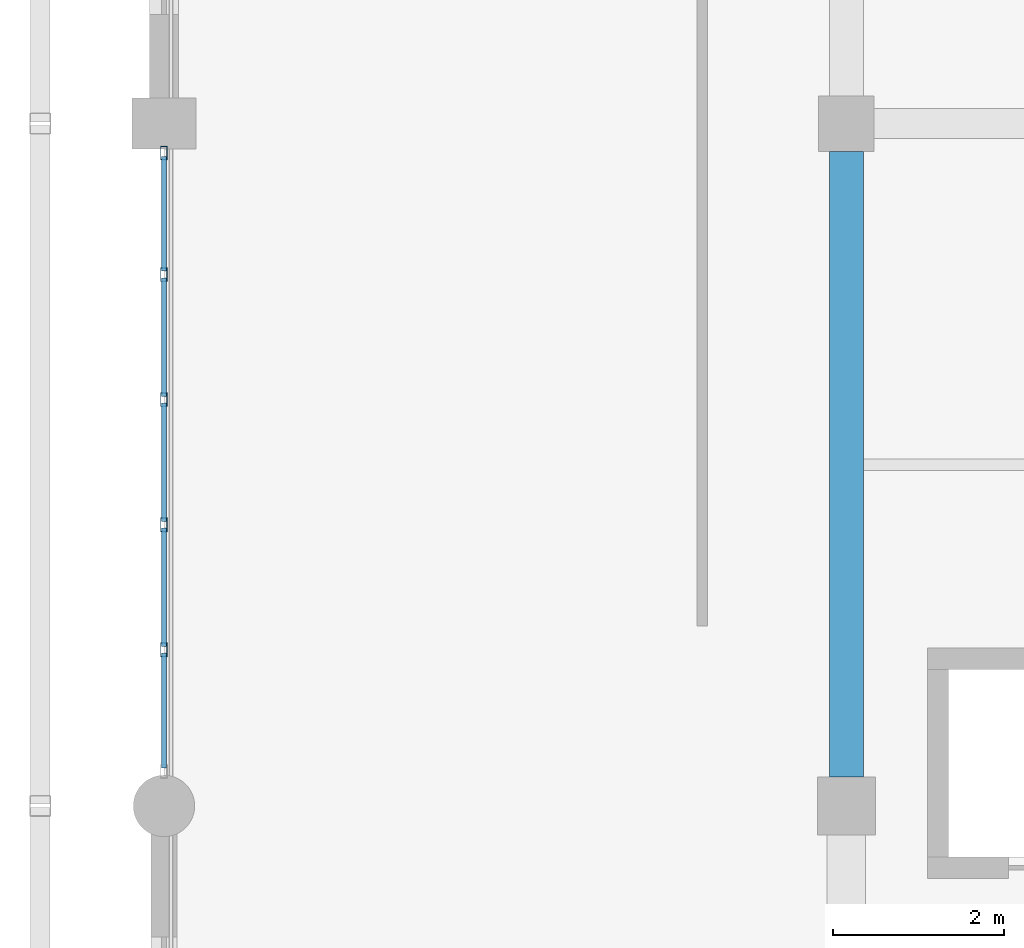
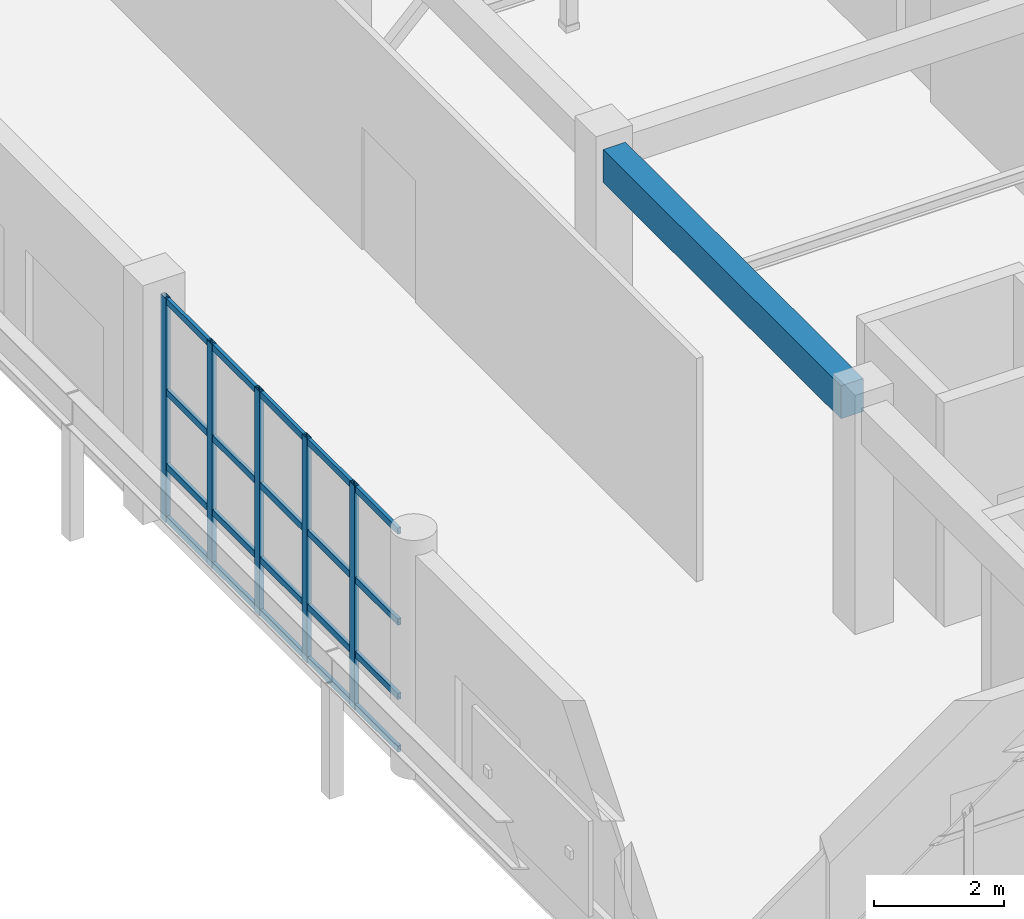
# One storey, part 54 of 160: 25 members, 1 beam, 1 element without a shape of its own.
"""IFC4 building model written with IfcOpenShell, lengths in metres."""

from ifc_helpers import new_model, si_unit, direction, frame, origin, origin_2d, place, context, subcontext, project, spatial, rectangle, hollow_rectangle, extrude, material, material_profile, profile_set, type_object, element, aggregate, save


model = new_model("IFC4")

# Units and contexts
model_context = context("Model", 3, precision=1e-05, world=origin(), true_north=direction((0.0, 1.0)))
body_context = subcontext(model_context, "Body", "Model", "MODEL_VIEW")
ifc_project = project(units=[si_unit("LENGTHUNIT", "METRE"), si_unit("AREAUNIT", "SQUARE_METRE"), si_unit("VOLUMEUNIT", "CUBIC_METRE"), si_unit("PLANEANGLEUNIT", "RADIAN"), si_unit("MASSUNIT", "GRAM", prefix="KILO")], contexts=[model_context])

# Site, building, storey
site_placement = place(None, origin())
site = spatial("IfcSite", under=ifc_project, at=site_placement, CompositionType="ELEMENT")
building_placement = place(site_placement, origin())
building = spatial("IfcBuilding", under=site, at=building_placement, Name="Kharva Crest Polytechnic", CompositionType="ELEMENT")
storey_placement = place(building_placement, frame((0.0, 0.0, 4.5)))
storey = spatial("IfcBuildingStorey", under=building, at=storey_placement, Name="L01", CompositionType="ELEMENT", Elevation=4.5)

# Beam
ifc_material_1 = material(Name="Concrete C35/45", Category="concrete")
ifc_material_profile_1 = material_profile(ifc_material_1, rectangle(XDim=0.39990234375, YDim=0.6201171875, at=origin_2d()), Name="RECT 400 X 620")
ifc_profile_set_1 = profile_set([ifc_material_profile_1], Name="Concrete C35/45")
beam_type = type_object("IfcBeamType", Name="BM-RC-400X620", PredefinedType="BEAM", material=ifc_profile_set_1)
beam_placement = place(storey_placement, frame((40.0, 47.139892578125, 3.909912109375), z_axis=(0.0, 1.0, 0.0), x_axis=(-1.0, 0.0, 0.0)))
element("IfcBeam", 1, at=beam_placement, inside=storey, type_object=beam_type, Name="L01 Girder 6/G-H", PredefinedType="BEAM", context=body_context, shape_type="SweptSolid", body=[
    extrude(rectangle(XDim=0.39990234375, YDim=0.6201171875, at=origin_2d()), origin(), (0.0, 0.0, 1.0), 7.335205078125),
])

# Curtain wall, members
ifc_material_2 = material(Name="Tempered insulated glass", Category="glass")
curtain_wall_type = type_object("IfcCurtainWallType", Name="CW-SYS-COURT", PredefinedType="USERDEFINED", material=ifc_material_2)
curtain_wall_placement = place(storey_placement, origin())
curtain_wall = element("IfcCurtainWall", 2, at=curtain_wall_placement, inside=storey, type_object=curtain_wall_type, Name="L01 Glazed Curtain Wall CW-055", ObjectType="CURTAIN WALL", PredefinedType="USERDEFINED")
ifc_material_3 = material(Name="Steel S355", Category="steel")
ifc_material_profile_2 = material_profile(ifc_material_3, hollow_rectangle(XDim=0.080078125, YDim=0.159912109375, WallThickness=0.0048828125, at=origin_2d()), Name="RHS 160X80X5.0")
ifc_profile_set_2 = profile_set([ifc_material_profile_2], Name="Steel S355")
member_type_1 = type_object("IfcMemberType", Name="CWM-RHS160X80", PredefinedType="MULLION", material=ifc_profile_set_2)
member_1_placement = place(storey_placement, frame((32.0, 54.455078125, 0.0), z_axis=(0.0, 0.0, 1.0), x_axis=(1.0, 0.0, 0.0)))
member_1 = element("IfcMember", 3, at=member_1_placement, type_object=member_type_1, Name="CW-055 mullion 1", PredefinedType="MULLION", context=body_context, shape_type="SweptSolid", body=[
    extrude(hollow_rectangle(XDim=0.080078125, YDim=0.159912109375, WallThickness=0.0048828125, at=origin_2d()), origin(), (0.0, 0.0, 1.0), 4.219970703125),
])
member_2_placement = place(storey_placement, frame((32.0, 53.029052734375, 0.0), z_axis=(0.0, 0.0, 1.0), x_axis=(1.0, 0.0, 0.0)))
member_2 = element("IfcMember", 4, at=member_2_placement, type_object=member_type_1, Name="CW-055 mullion 2", PredefinedType="MULLION", context=body_context, shape_type="SweptSolid", body=[
    extrude(hollow_rectangle(XDim=0.080078125, YDim=0.159912109375, WallThickness=0.0048828125, at=origin_2d()), origin(), (0.0, 0.0, 1.0), 4.219970703125),
])
member_3_placement = place(storey_placement, frame((32.0, 51.56298828125, 0.0), z_axis=(0.0, 0.0, 1.0), x_axis=(1.0, 0.0, 0.0)))
member_3 = element("IfcMember", 5, at=member_3_placement, type_object=member_type_1, Name="CW-055 mullion 3", PredefinedType="MULLION", context=body_context, shape_type="SweptSolid", body=[
    extrude(hollow_rectangle(XDim=0.080078125, YDim=0.159912109375, WallThickness=0.0048828125, at=origin_2d()), origin(), (0.0, 0.0, 1.0), 4.219970703125),
])
member_4_placement = place(storey_placement, frame((32.0, 50.096923828125, 0.0), z_axis=(0.0, 0.0, 1.0), x_axis=(1.0, 0.0, 0.0)))
member_4 = element("IfcMember", 6, at=member_4_placement, type_object=member_type_1, Name="CW-055 mullion 4", PredefinedType="MULLION", context=body_context, shape_type="SweptSolid", body=[
    extrude(hollow_rectangle(XDim=0.080078125, YDim=0.159912109375, WallThickness=0.0048828125, at=origin_2d()), origin(), (0.0, 0.0, 1.0), 4.219970703125),
])
member_5_placement = place(storey_placement, frame((32.0, 48.631103515625, 0.0), z_axis=(0.0, 0.0, 1.0), x_axis=(1.0, 0.0, 0.0)))
member_5 = element("IfcMember", 7, at=member_5_placement, type_object=member_type_1, Name="CW-055 mullion 5", PredefinedType="MULLION", context=body_context, shape_type="SweptSolid", body=[
    extrude(hollow_rectangle(XDim=0.080078125, YDim=0.159912109375, WallThickness=0.0048828125, at=origin_2d()), origin(), (0.0, 0.0, 1.0), 4.219970703125),
])
ifc_material_profile_3 = material_profile(ifc_material_3, hollow_rectangle(XDim=0.06005859375, YDim=0.1201171875, WallThickness=0.00390625, at=origin_2d()), Name="RHS 120X60X4.0")
ifc_profile_set_3 = profile_set([ifc_material_profile_3], Name="Steel S355")
member_type_2 = type_object("IfcMemberType", Name="CWT-RHS120X60", PredefinedType="USERDEFINED", material=ifc_profile_set_3)
member_6_placement = place(storey_placement, frame((32.0, 54.4150390625, 0.06005859375), z_axis=(0.0, -1.0, 0.0), x_axis=(1.0, 0.0, 0.0)))
member_6 = element("IfcMember", 8, at=member_6_placement, type_object=member_type_2, Name="CW-055 transom 1.1", ObjectType="TRANSOM", PredefinedType="USERDEFINED", context=body_context, shape_type="SweptSolid", body=[
    extrude(hollow_rectangle(XDim=0.06005859375, YDim=0.1201171875, WallThickness=0.00390625, at=origin_2d()), origin(), (0.0, 0.0, 1.0), 1.345947265625),
])
member_7_placement = place(storey_placement, frame((32.0, 54.4150390625, 1.050048828125), z_axis=(0.0, -1.0, 0.0), x_axis=(1.0, 0.0, 0.0)))
member_7 = element("IfcMember", 9, at=member_7_placement, type_object=member_type_2, Name="CW-055 transom 1.2", ObjectType="TRANSOM", PredefinedType="USERDEFINED", context=body_context, shape_type="SweptSolid", body=[
    extrude(hollow_rectangle(XDim=0.06005859375, YDim=0.1201171875, WallThickness=0.00390625, at=origin_2d()), origin(), (0.0, 0.0, 1.0), 1.345947265625),
])
member_8_placement = place(storey_placement, frame((32.0, 54.4150390625, 2.449951171875), z_axis=(0.0, -1.0, 0.0), x_axis=(1.0, 0.0, 0.0)))
member_8 = element("IfcMember", 10, at=member_8_placement, type_object=member_type_2, Name="CW-055 transom 1.3", ObjectType="TRANSOM", PredefinedType="USERDEFINED", context=body_context, shape_type="SweptSolid", body=[
    extrude(hollow_rectangle(XDim=0.06005859375, YDim=0.1201171875, WallThickness=0.00390625, at=origin_2d()), origin(), (0.0, 0.0, 1.0), 1.345947265625),
])
member_9_placement = place(storey_placement, frame((32.0, 54.4150390625, 4.159912109375), z_axis=(0.0, -1.0, 0.0), x_axis=(1.0, 0.0, 0.0)))
member_9 = element("IfcMember", 11, at=member_9_placement, type_object=member_type_2, Name="CW-055 transom 1.4", ObjectType="TRANSOM", PredefinedType="USERDEFINED", context=body_context, shape_type="SweptSolid", body=[
    extrude(hollow_rectangle(XDim=0.06005859375, YDim=0.1201171875, WallThickness=0.00390625, at=origin_2d()), origin(), (0.0, 0.0, 1.0), 1.345947265625),
])
member_10_placement = place(storey_placement, frame((32.0, 52.989013671875, 0.06005859375), z_axis=(0.0, -1.0, 0.0), x_axis=(1.0, 0.0, 0.0)))
member_10 = element("IfcMember", 12, at=member_10_placement, type_object=member_type_2, Name="CW-055 transom 2.1", ObjectType="TRANSOM", PredefinedType="USERDEFINED", context=body_context, shape_type="SweptSolid", body=[
    extrude(hollow_rectangle(XDim=0.06005859375, YDim=0.1201171875, WallThickness=0.00390625, at=origin_2d()), origin(), (0.0, 0.0, 1.0), 1.385986328125),
])
member_11_placement = place(storey_placement, frame((32.0, 52.989013671875, 1.050048828125), z_axis=(0.0, -1.0, 0.0), x_axis=(1.0, 0.0, 0.0)))
member_11 = element("IfcMember", 13, at=member_11_placement, type_object=member_type_2, Name="CW-055 transom 2.2", ObjectType="TRANSOM", PredefinedType="USERDEFINED", context=body_context, shape_type="SweptSolid", body=[
    extrude(hollow_rectangle(XDim=0.06005859375, YDim=0.1201171875, WallThickness=0.00390625, at=origin_2d()), origin(), (0.0, 0.0, 1.0), 1.385986328125),
])
member_12_placement = place(storey_placement, frame((32.0, 52.989013671875, 2.449951171875), z_axis=(0.0, -1.0, 0.0), x_axis=(1.0, 0.0, 0.0)))
member_12 = element("IfcMember", 14, at=member_12_placement, type_object=member_type_2, Name="CW-055 transom 2.3", ObjectType="TRANSOM", PredefinedType="USERDEFINED", context=body_context, shape_type="SweptSolid", body=[
    extrude(hollow_rectangle(XDim=0.06005859375, YDim=0.1201171875, WallThickness=0.00390625, at=origin_2d()), origin(), (0.0, 0.0, 1.0), 1.385986328125),
])
member_13_placement = place(storey_placement, frame((32.0, 52.989013671875, 4.159912109375), z_axis=(0.0, -1.0, 0.0), x_axis=(1.0, 0.0, 0.0)))
member_13 = element("IfcMember", 15, at=member_13_placement, type_object=member_type_2, Name="CW-055 transom 2.4", ObjectType="TRANSOM", PredefinedType="USERDEFINED", context=body_context, shape_type="SweptSolid", body=[
    extrude(hollow_rectangle(XDim=0.06005859375, YDim=0.1201171875, WallThickness=0.00390625, at=origin_2d()), origin(), (0.0, 0.0, 1.0), 1.385986328125),
])
member_14_placement = place(storey_placement, frame((32.0, 51.52294921875, 0.06005859375), z_axis=(0.0, -1.0, 0.0), x_axis=(1.0, 0.0, 0.0)))
member_14 = element("IfcMember", 16, at=member_14_placement, type_object=member_type_2, Name="CW-055 transom 3.1", ObjectType="TRANSOM", PredefinedType="USERDEFINED", context=body_context, shape_type="SweptSolid", body=[
    extrude(hollow_rectangle(XDim=0.06005859375, YDim=0.1201171875, WallThickness=0.00390625, at=origin_2d()), origin(), (0.0, 0.0, 1.0), 1.385986328125),
])
member_15_placement = place(storey_placement, frame((32.0, 51.52294921875, 1.050048828125), z_axis=(0.0, -1.0, 0.0), x_axis=(1.0, 0.0, 0.0)))
member_15 = element("IfcMember", 17, at=member_15_placement, type_object=member_type_2, Name="CW-055 transom 3.2", ObjectType="TRANSOM", PredefinedType="USERDEFINED", context=body_context, shape_type="SweptSolid", body=[
    extrude(hollow_rectangle(XDim=0.06005859375, YDim=0.1201171875, WallThickness=0.00390625, at=origin_2d()), origin(), (0.0, 0.0, 1.0), 1.385986328125),
])
member_16_placement = place(storey_placement, frame((32.0, 51.52294921875, 2.449951171875), z_axis=(0.0, -1.0, 0.0), x_axis=(1.0, 0.0, 0.0)))
member_16 = element("IfcMember", 18, at=member_16_placement, type_object=member_type_2, Name="CW-055 transom 3.3", ObjectType="TRANSOM", PredefinedType="USERDEFINED", context=body_context, shape_type="SweptSolid", body=[
    extrude(hollow_rectangle(XDim=0.06005859375, YDim=0.1201171875, WallThickness=0.00390625, at=origin_2d()), origin(), (0.0, 0.0, 1.0), 1.385986328125),
])
member_17_placement = place(storey_placement, frame((32.0, 51.52294921875, 4.159912109375), z_axis=(0.0, -1.0, 0.0), x_axis=(1.0, 0.0, 0.0)))
member_17 = element("IfcMember", 19, at=member_17_placement, type_object=member_type_2, Name="CW-055 transom 3.4", ObjectType="TRANSOM", PredefinedType="USERDEFINED", context=body_context, shape_type="SweptSolid", body=[
    extrude(hollow_rectangle(XDim=0.06005859375, YDim=0.1201171875, WallThickness=0.00390625, at=origin_2d()), origin(), (0.0, 0.0, 1.0), 1.385986328125),
])
member_18_placement = place(storey_placement, frame((32.0, 50.056884765625, 0.06005859375), z_axis=(0.0, -1.0, 0.0), x_axis=(1.0, 0.0, 0.0)))
member_18 = element("IfcMember", 20, at=member_18_placement, type_object=member_type_2, Name="CW-055 transom 4.1", ObjectType="TRANSOM", PredefinedType="USERDEFINED", context=body_context, shape_type="SweptSolid", body=[
    extrude(hollow_rectangle(XDim=0.06005859375, YDim=0.1201171875, WallThickness=0.00390625, at=origin_2d()), origin(), (0.0, 0.0, 1.0), 1.385986328125),
])
member_19_placement = place(storey_placement, frame((32.0, 50.056884765625, 1.050048828125), z_axis=(0.0, -1.0, 0.0), x_axis=(1.0, 0.0, 0.0)))
member_19 = element("IfcMember", 21, at=member_19_placement, type_object=member_type_2, Name="CW-055 transom 4.2", ObjectType="TRANSOM", PredefinedType="USERDEFINED", context=body_context, shape_type="SweptSolid", body=[
    extrude(hollow_rectangle(XDim=0.06005859375, YDim=0.1201171875, WallThickness=0.00390625, at=origin_2d()), origin(), (0.0, 0.0, 1.0), 1.385986328125),
])
member_20_placement = place(storey_placement, frame((32.0, 50.056884765625, 2.449951171875), z_axis=(0.0, -1.0, 0.0), x_axis=(1.0, 0.0, 0.0)))
member_20 = element("IfcMember", 22, at=member_20_placement, type_object=member_type_2, Name="CW-055 transom 4.3", ObjectType="TRANSOM", PredefinedType="USERDEFINED", context=body_context, shape_type="SweptSolid", body=[
    extrude(hollow_rectangle(XDim=0.06005859375, YDim=0.1201171875, WallThickness=0.00390625, at=origin_2d()), origin(), (0.0, 0.0, 1.0), 1.385986328125),
])
member_21_placement = place(storey_placement, frame((32.0, 50.056884765625, 4.159912109375), z_axis=(0.0, -1.0, 0.0), x_axis=(1.0, 0.0, 0.0)))
member_21 = element("IfcMember", 23, at=member_21_placement, type_object=member_type_2, Name="CW-055 transom 4.4", ObjectType="TRANSOM", PredefinedType="USERDEFINED", context=body_context, shape_type="SweptSolid", body=[
    extrude(hollow_rectangle(XDim=0.06005859375, YDim=0.1201171875, WallThickness=0.00390625, at=origin_2d()), origin(), (0.0, 0.0, 1.0), 1.385986328125),
])
member_22_placement = place(storey_placement, frame((32.0, 48.591064453125, 0.06005859375), z_axis=(0.0, -1.0, 0.0), x_axis=(1.0, 0.0, 0.0)))
member_22 = element("IfcMember", 24, at=member_22_placement, type_object=member_type_2, Name="CW-055 transom 5.1", ObjectType="TRANSOM", PredefinedType="USERDEFINED", context=body_context, shape_type="SweptSolid", body=[
    extrude(hollow_rectangle(XDim=0.06005859375, YDim=0.1201171875, WallThickness=0.00390625, at=origin_2d()), origin(), (0.0, 0.0, 1.0), 1.345947265625),
])
member_23_placement = place(storey_placement, frame((32.0, 48.591064453125, 1.050048828125), z_axis=(0.0, -1.0, 0.0), x_axis=(1.0, 0.0, 0.0)))
member_23 = element("IfcMember", 25, at=member_23_placement, type_object=member_type_2, Name="CW-055 transom 5.2", ObjectType="TRANSOM", PredefinedType="USERDEFINED", context=body_context, shape_type="SweptSolid", body=[
    extrude(hollow_rectangle(XDim=0.06005859375, YDim=0.1201171875, WallThickness=0.00390625, at=origin_2d()), origin(), (0.0, 0.0, 1.0), 1.345947265625),
])
member_24_placement = place(storey_placement, frame((32.0, 48.591064453125, 2.449951171875), z_axis=(0.0, -1.0, 0.0), x_axis=(1.0, 0.0, 0.0)))
member_24 = element("IfcMember", 26, at=member_24_placement, type_object=member_type_2, Name="CW-055 transom 5.3", ObjectType="TRANSOM", PredefinedType="USERDEFINED", context=body_context, shape_type="SweptSolid", body=[
    extrude(hollow_rectangle(XDim=0.06005859375, YDim=0.1201171875, WallThickness=0.00390625, at=origin_2d()), origin(), (0.0, 0.0, 1.0), 1.345947265625),
])
member_25_placement = place(storey_placement, frame((32.0, 48.591064453125, 4.159912109375), z_axis=(0.0, -1.0, 0.0), x_axis=(1.0, 0.0, 0.0)))
member_25 = element("IfcMember", 27, at=member_25_placement, type_object=member_type_2, Name="CW-055 transom 5.4", ObjectType="TRANSOM", PredefinedType="USERDEFINED", context=body_context, shape_type="SweptSolid", body=[
    extrude(hollow_rectangle(XDim=0.06005859375, YDim=0.1201171875, WallThickness=0.00390625, at=origin_2d()), origin(), (0.0, 0.0, 1.0), 1.345947265625),
])
aggregate(curtain_wall, [member_1, member_2, member_3, member_4, member_5, member_6, member_7, member_8, member_9, member_10, member_11, member_12, member_13, member_14, member_15, member_16, member_17, member_18, member_19, member_20, member_21, member_22, member_23, member_24, member_25])

save(model, "model.ifc")
